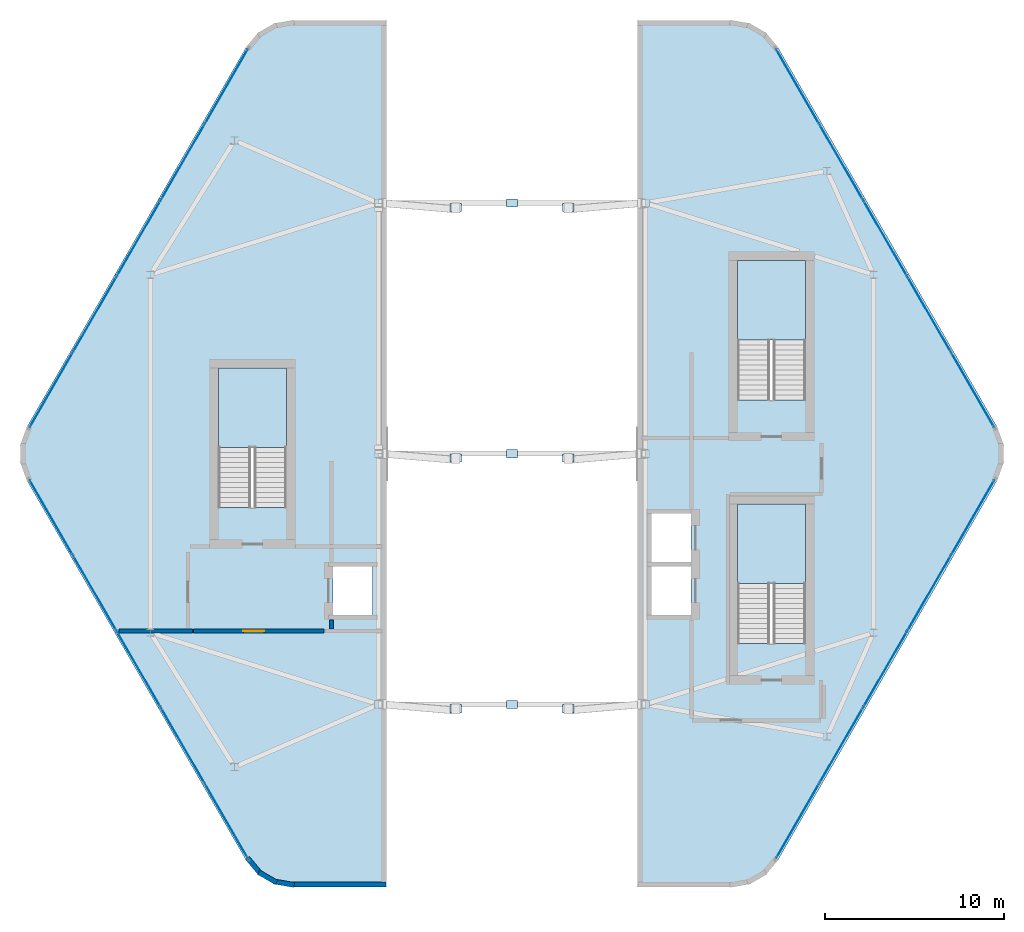
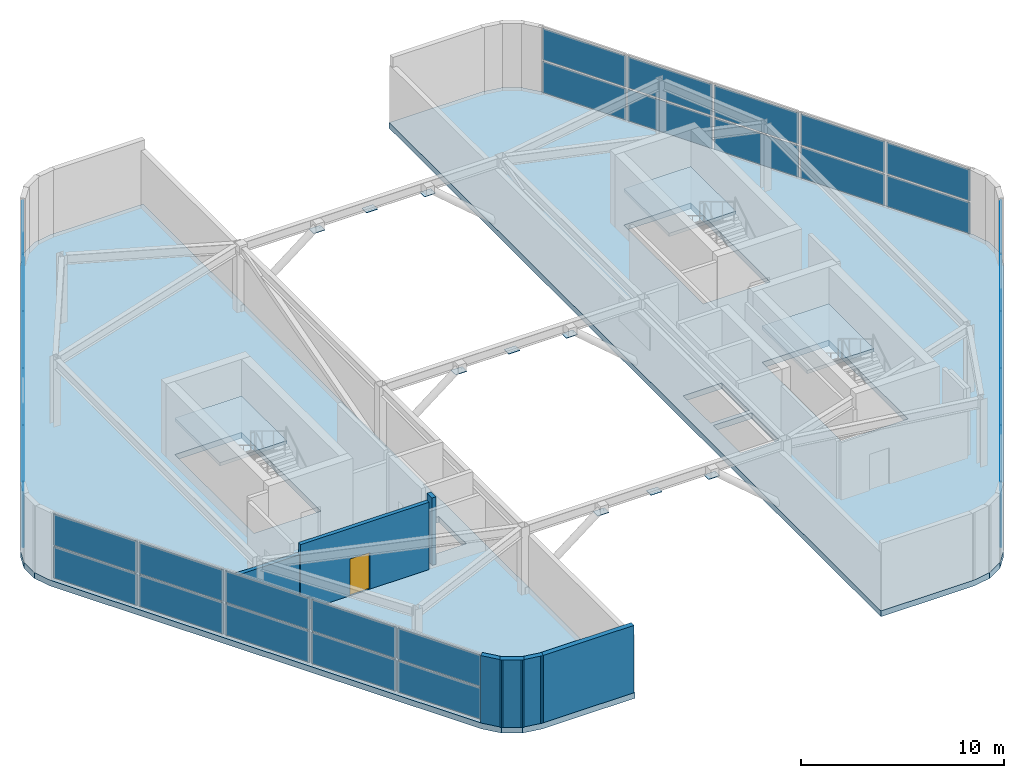
# One storey, part 13 of 16: 49 plates, 7 walls, 5 slabs, 1 door, 1 opening, 7 elements without a shape of their own.
"""IFC4 building model written with IfcOpenShell, lengths in metres."""

from ifc_helpers import new_model, si_unit, direction, frame, frame_2d, origin, origin_2d, place, context, subcontext, project, spatial, polyline, rectangle, outline, extrude, material, layer, layer_set, type_object, element, fill, aggregate, save


model = new_model("IFC4")

# Units and contexts
model_context = context("Model", 3, precision=1e-05, world=origin(), true_north=direction((0.0, 1.0)))
body_context = subcontext(model_context, "Body", "Model", "MODEL_VIEW")
ifc_project = project(units=[si_unit("LENGTHUNIT", "METRE"), si_unit("AREAUNIT", "SQUARE_METRE"), si_unit("VOLUMEUNIT", "CUBIC_METRE"), si_unit("PLANEANGLEUNIT", "RADIAN"), si_unit("MASSUNIT", "GRAM", prefix="KILO")], contexts=[model_context])

# Site, building, storey
site_placement = place(None, origin())
site = spatial("IfcSite", under=ifc_project, at=site_placement, CompositionType="ELEMENT")
building_placement = place(site_placement, origin())
building = spatial("IfcBuilding", under=site, at=building_placement, Name="Zuhravey Tower", CompositionType="ELEMENT")
storey_placement = place(building_placement, frame((0.0, 0.0, 365.800048828125)))
storey = spatial("IfcBuildingStorey", under=building, at=storey_placement, Name="L93", CompositionType="ELEMENT", Elevation=365.800048828125)

# Curtain wall, plates
ifc_material_1 = material(Name="Thermally broken anodised aluminium", Category="aluminium")
curtain_wall_type = type_object("IfcCurtainWallType", Name="Split-Top Crown Screened Curtain Wall CW6", PredefinedType="NOTDEFINED", material=ifc_material_1)
curtain_wall_1_placement = place(storey_placement, origin())
curtain_wall_1 = element("IfcCurtainWall", 1, at=curtain_wall_1_placement, inside=storey, type_object=curtain_wall_type, Name="L93 CW6 CW6-L93-WEST-04", PredefinedType="NOTDEFINED")
ifc_material_2 = material(Name="Bronze-anodised perforated girih aluminium", Category="aluminium")
ifc_layer_1 = layer(ifc_material_2, 0.035888671875)
ifc_layer_set_1 = layer_set([ifc_layer_1], Name="Bronze-anodised perforated girih aluminium")
plate_type_1 = type_object("IfcPlateType", Name="Girih Perforated Crown Panel", PredefinedType="CURTAIN_PANEL", material=ifc_layer_set_1)
plate_1_placement = place(storey_placement, frame((20.04443359375, 11.487548828125, 0.099853515625), z_axis=(0.0, 0.0, 1.0), x_axis=(-0.499997124838, 0.866027063754, 0.0)))
plate_1 = element("IfcPlate", 2, at=plate_1_placement, type_object=plate_type_1, Name="CW6 panel 1.1", PredefinedType="CURTAIN_PANEL", context=body_context, shape_type="SweptSolid", body=[
    extrude(rectangle(XDim=4.755859375, YDim=0.035888671875, at=origin_2d()), origin(), (0.0, 0.0, 1.0), 1.875),
])
plate_2_placement = place(storey_placement, frame((20.04443359375, 11.487548828125, 2.074951171875), z_axis=(0.0, 0.0, 1.0), x_axis=(-0.499997124838, 0.866027063754, 0.0)))
plate_2 = element("IfcPlate", 3, at=plate_2_placement, type_object=plate_type_1, Name="CW6 panel 1.2", PredefinedType="CURTAIN_PANEL", context=body_context, shape_type="SweptSolid", body=[
    extrude(rectangle(XDim=4.755859375, YDim=0.035888671875, at=origin_2d()), origin(), (0.0, 0.0, 1.0), 1.875),
])
plate_3_placement = place(storey_placement, frame((17.604248046875, 15.71435546875, 0.099853515625), z_axis=(0.0, 0.0, 1.0), x_axis=(-0.499997124838, 0.866027063754, 0.0)))
plate_3 = element("IfcPlate", 4, at=plate_3_placement, type_object=plate_type_1, Name="CW6 panel 2.1", PredefinedType="CURTAIN_PANEL", context=body_context, shape_type="SweptSolid", body=[
    extrude(rectangle(XDim=4.805908203125, YDim=0.035888671875, at=origin_2d()), origin(), (0.0, 0.0, 1.0), 1.875),
])
plate_4_placement = place(storey_placement, frame((17.604248046875, 15.71435546875, 2.074951171875), z_axis=(0.0, 0.0, 1.0), x_axis=(-0.499997124838, 0.866027063754, 0.0)))
plate_4 = element("IfcPlate", 5, at=plate_4_placement, type_object=plate_type_1, Name="CW6 panel 2.2", PredefinedType="CURTAIN_PANEL", context=body_context, shape_type="SweptSolid", body=[
    extrude(rectangle(XDim=4.805908203125, YDim=0.035888671875, at=origin_2d()), origin(), (0.0, 0.0, 1.0), 1.875),
])
plate_5_placement = place(storey_placement, frame((15.1513671875, 19.962890625, 0.099853515625), z_axis=(0.0, 0.0, 1.0), x_axis=(-0.499997124838, 0.866027063754, 0.0)))
plate_5 = element("IfcPlate", 6, at=plate_5_placement, type_object=plate_type_1, Name="CW6 panel 3.1", PredefinedType="CURTAIN_PANEL", context=body_context, shape_type="SweptSolid", body=[
    extrude(rectangle(XDim=4.805908203125, YDim=0.035888671875, at=origin_2d()), origin(), (0.0, 0.0, 1.0), 1.875),
])
plate_6_placement = place(storey_placement, frame((15.1513671875, 19.962890625, 2.074951171875), z_axis=(0.0, 0.0, 1.0), x_axis=(-0.499997124838, 0.866027063754, 0.0)))
plate_6 = element("IfcPlate", 7, at=plate_6_placement, type_object=plate_type_1, Name="CW6 panel 3.2", PredefinedType="CURTAIN_PANEL", context=body_context, shape_type="SweptSolid", body=[
    extrude(rectangle(XDim=4.805908203125, YDim=0.035888671875, at=origin_2d()), origin(), (0.0, 0.0, 1.0), 1.875),
])
plate_7_placement = place(storey_placement, frame((12.6982421875, 24.21142578125, 0.099853515625), z_axis=(0.0, 0.0, 1.0), x_axis=(-0.499997124838, 0.866027063754, 0.0)))
plate_7 = element("IfcPlate", 8, at=plate_7_placement, type_object=plate_type_1, Name="CW6 panel 4.1", PredefinedType="CURTAIN_PANEL", context=body_context, shape_type="SweptSolid", body=[
    extrude(rectangle(XDim=4.805908203125, YDim=0.035888671875, at=origin_2d()), origin(), (0.0, 0.0, 1.0), 1.875),
])
plate_8_placement = place(storey_placement, frame((12.6982421875, 24.21142578125, 2.074951171875), z_axis=(0.0, 0.0, 1.0), x_axis=(-0.499997124838, 0.866027063754, 0.0)))
plate_8 = element("IfcPlate", 9, at=plate_8_placement, type_object=plate_type_1, Name="CW6 panel 4.2", PredefinedType="CURTAIN_PANEL", context=body_context, shape_type="SweptSolid", body=[
    extrude(rectangle(XDim=4.805908203125, YDim=0.035888671875, at=origin_2d()), origin(), (0.0, 0.0, 1.0), 1.875),
])
plate_9_placement = place(storey_placement, frame((10.258056640625, 28.4384765625, 0.099853515625), z_axis=(0.0, 0.0, 1.0), x_axis=(-0.499997124838, 0.866027063754, 0.0)))
plate_9 = element("IfcPlate", 10, at=plate_9_placement, type_object=plate_type_1, Name="CW6 panel 5.1", PredefinedType="CURTAIN_PANEL", context=body_context, shape_type="SweptSolid", body=[
    extrude(rectangle(XDim=4.755859375, YDim=0.035888671875, at=origin_2d()), origin(), (0.0, 0.0, 1.0), 1.875),
])
plate_10_placement = place(storey_placement, frame((10.258056640625, 28.4384765625, 2.074951171875), z_axis=(0.0, 0.0, 1.0), x_axis=(-0.499997124838, 0.866027063754, 0.0)))
plate_10 = element("IfcPlate", 11, at=plate_10_placement, type_object=plate_type_1, Name="CW6 panel 5.2", PredefinedType="CURTAIN_PANEL", context=body_context, shape_type="SweptSolid", body=[
    extrude(rectangle(XDim=4.755859375, YDim=0.035888671875, at=origin_2d()), origin(), (0.0, 0.0, 1.0), 1.875),
])
aggregate(curtain_wall_1, [plate_1, plate_2, plate_3, plate_4, plate_5, plate_6, plate_7, plate_8, plate_9, plate_10])

curtain_wall_2_placement = place(storey_placement, origin())
curtain_wall_2 = element("IfcCurtainWall", 12, at=curtain_wall_2_placement, inside=storey, type_object=curtain_wall_type, Name="L93 CW6 CW6-L93-WEST-08", PredefinedType="NOTDEFINED")
plate_11_placement = place(storey_placement, frame((10.258056640625, 35.5615234375, 0.099853515625), z_axis=(0.0, 0.0, 1.0), x_axis=(0.499997124838, 0.866027063754, 0.0)))
plate_11 = element("IfcPlate", 13, at=plate_11_placement, type_object=plate_type_1, Name="CW6 panel 1.1", PredefinedType="CURTAIN_PANEL", context=body_context, shape_type="SweptSolid", body=[
    extrude(rectangle(XDim=4.755859375, YDim=0.035888671875, at=origin_2d()), origin(), (0.0, 0.0, 1.0), 1.875),
])
plate_12_placement = place(storey_placement, frame((10.258056640625, 35.5615234375, 2.074951171875), z_axis=(0.0, 0.0, 1.0), x_axis=(0.499997124838, 0.866027063754, 0.0)))
plate_12 = element("IfcPlate", 14, at=plate_12_placement, type_object=plate_type_1, Name="CW6 panel 1.2", PredefinedType="CURTAIN_PANEL", context=body_context, shape_type="SweptSolid", body=[
    extrude(rectangle(XDim=4.755859375, YDim=0.035888671875, at=origin_2d()), origin(), (0.0, 0.0, 1.0), 1.875),
])
plate_13_placement = place(storey_placement, frame((12.6982421875, 39.78857421875, 0.099853515625), z_axis=(0.0, 0.0, 1.0), x_axis=(0.499997124838, 0.866027063754, 0.0)))
plate_13 = element("IfcPlate", 15, at=plate_13_placement, type_object=plate_type_1, Name="CW6 panel 2.1", PredefinedType="CURTAIN_PANEL", context=body_context, shape_type="SweptSolid", body=[
    extrude(rectangle(XDim=4.805908203125, YDim=0.035888671875, at=origin_2d()), origin(), (0.0, 0.0, 1.0), 1.875),
])
plate_14_placement = place(storey_placement, frame((12.6982421875, 39.78857421875, 2.074951171875), z_axis=(0.0, 0.0, 1.0), x_axis=(0.499997124838, 0.866027063754, 0.0)))
plate_14 = element("IfcPlate", 16, at=plate_14_placement, type_object=plate_type_1, Name="CW6 panel 2.2", PredefinedType="CURTAIN_PANEL", context=body_context, shape_type="SweptSolid", body=[
    extrude(rectangle(XDim=4.805908203125, YDim=0.035888671875, at=origin_2d()), origin(), (0.0, 0.0, 1.0), 1.875),
])
plate_15_placement = place(storey_placement, frame((15.1513671875, 44.037109375, 0.099853515625), z_axis=(0.0, 0.0, 1.0), x_axis=(0.499997124838, 0.866027063754, 0.0)))
plate_15 = element("IfcPlate", 17, at=plate_15_placement, type_object=plate_type_1, Name="CW6 panel 3.1", PredefinedType="CURTAIN_PANEL", context=body_context, shape_type="SweptSolid", body=[
    extrude(rectangle(XDim=4.805908203125, YDim=0.035888671875, at=origin_2d()), origin(), (0.0, 0.0, 1.0), 1.875),
])
plate_16_placement = place(storey_placement, frame((15.1513671875, 44.037109375, 2.074951171875), z_axis=(0.0, 0.0, 1.0), x_axis=(0.499997124838, 0.866027063754, 0.0)))
plate_16 = element("IfcPlate", 18, at=plate_16_placement, type_object=plate_type_1, Name="CW6 panel 3.2", PredefinedType="CURTAIN_PANEL", context=body_context, shape_type="SweptSolid", body=[
    extrude(rectangle(XDim=4.805908203125, YDim=0.035888671875, at=origin_2d()), origin(), (0.0, 0.0, 1.0), 1.875),
])
plate_17_placement = place(storey_placement, frame((17.604248046875, 48.28564453125, 0.099853515625), z_axis=(0.0, 0.0, 1.0), x_axis=(0.499997124838, 0.866027063754, 0.0)))
plate_17 = element("IfcPlate", 19, at=plate_17_placement, type_object=plate_type_1, Name="CW6 panel 4.1", PredefinedType="CURTAIN_PANEL", context=body_context, shape_type="SweptSolid", body=[
    extrude(rectangle(XDim=4.805908203125, YDim=0.035888671875, at=origin_2d()), origin(), (0.0, 0.0, 1.0), 1.875),
])
plate_18_placement = place(storey_placement, frame((17.604248046875, 48.28564453125, 2.074951171875), z_axis=(0.0, 0.0, 1.0), x_axis=(0.499997124838, 0.866027063754, 0.0)))
plate_18 = element("IfcPlate", 20, at=plate_18_placement, type_object=plate_type_1, Name="CW6 panel 4.2", PredefinedType="CURTAIN_PANEL", context=body_context, shape_type="SweptSolid", body=[
    extrude(rectangle(XDim=4.805908203125, YDim=0.035888671875, at=origin_2d()), origin(), (0.0, 0.0, 1.0), 1.875),
])
plate_19_placement = place(storey_placement, frame((20.04443359375, 52.512451171875, 0.099853515625), z_axis=(0.0, 0.0, 1.0), x_axis=(0.499997124838, 0.866027063754, 0.0)))
plate_19 = element("IfcPlate", 21, at=plate_19_placement, type_object=plate_type_1, Name="CW6 panel 5.1", PredefinedType="CURTAIN_PANEL", context=body_context, shape_type="SweptSolid", body=[
    extrude(rectangle(XDim=4.755859375, YDim=0.035888671875, at=origin_2d()), origin(), (0.0, 0.0, 1.0), 1.875),
])
plate_20_placement = place(storey_placement, frame((20.04443359375, 52.512451171875, 2.074951171875), z_axis=(0.0, 0.0, 1.0), x_axis=(0.499997124838, 0.866027063754, 0.0)))
plate_20 = element("IfcPlate", 22, at=plate_20_placement, type_object=plate_type_1, Name="CW6 panel 5.2", PredefinedType="CURTAIN_PANEL", context=body_context, shape_type="SweptSolid", body=[
    extrude(rectangle(XDim=4.755859375, YDim=0.035888671875, at=origin_2d()), origin(), (0.0, 0.0, 1.0), 1.875),
])
aggregate(curtain_wall_2, [plate_11, plate_12, plate_13, plate_14, plate_15, plate_16, plate_17, plate_18, plate_19, plate_20])

curtain_wall_3_placement = place(storey_placement, origin())
curtain_wall_3 = element("IfcCurtainWall", 23, at=curtain_wall_3_placement, inside=storey, type_object=curtain_wall_type, Name="L93 CW6 CW6-L93-EAST-04", PredefinedType="NOTDEFINED")
plate_21_placement = place(storey_placement, frame((51.95556640625, 52.512451171875, 0.099853515625), z_axis=(0.0, 0.0, 1.0), x_axis=(0.499997124838, -0.866027063754, 0.0)))
plate_21 = element("IfcPlate", 24, at=plate_21_placement, type_object=plate_type_1, Name="CW6 panel 1.1", PredefinedType="CURTAIN_PANEL", context=body_context, shape_type="SweptSolid", body=[
    extrude(rectangle(XDim=4.755859375, YDim=0.035888671875, at=origin_2d()), origin(), (0.0, 0.0, 1.0), 1.875),
])
plate_22_placement = place(storey_placement, frame((51.95556640625, 52.512451171875, 2.074951171875), z_axis=(0.0, 0.0, 1.0), x_axis=(0.499997124838, -0.866027063754, 0.0)))
plate_22 = element("IfcPlate", 25, at=plate_22_placement, type_object=plate_type_1, Name="CW6 panel 1.2", PredefinedType="CURTAIN_PANEL", context=body_context, shape_type="SweptSolid", body=[
    extrude(rectangle(XDim=4.755859375, YDim=0.035888671875, at=origin_2d()), origin(), (0.0, 0.0, 1.0), 1.875),
])
plate_23_placement = place(storey_placement, frame((54.395751953125, 48.28564453125, 0.099853515625), z_axis=(0.0, 0.0, 1.0), x_axis=(0.499997124838, -0.866027063754, 0.0)))
plate_23 = element("IfcPlate", 26, at=plate_23_placement, type_object=plate_type_1, Name="CW6 panel 2.1", PredefinedType="CURTAIN_PANEL", context=body_context, shape_type="SweptSolid", body=[
    extrude(rectangle(XDim=4.805908203125, YDim=0.035888671875, at=origin_2d()), origin(), (0.0, 0.0, 1.0), 1.875),
])
plate_24_placement = place(storey_placement, frame((54.395751953125, 48.28564453125, 2.074951171875), z_axis=(0.0, 0.0, 1.0), x_axis=(0.499997124838, -0.866027063754, 0.0)))
plate_24 = element("IfcPlate", 27, at=plate_24_placement, type_object=plate_type_1, Name="CW6 panel 2.2", PredefinedType="CURTAIN_PANEL", context=body_context, shape_type="SweptSolid", body=[
    extrude(rectangle(XDim=4.805908203125, YDim=0.035888671875, at=origin_2d()), origin(), (0.0, 0.0, 1.0), 1.875),
])
plate_25_placement = place(storey_placement, frame((56.8486328125, 44.037109375, 0.099853515625), z_axis=(0.0, 0.0, 1.0), x_axis=(0.499997124838, -0.866027063754, 0.0)))
plate_25 = element("IfcPlate", 28, at=plate_25_placement, type_object=plate_type_1, Name="CW6 panel 3.1", PredefinedType="CURTAIN_PANEL", context=body_context, shape_type="SweptSolid", body=[
    extrude(rectangle(XDim=4.805908203125, YDim=0.035888671875, at=origin_2d()), origin(), (0.0, 0.0, 1.0), 1.875),
])
plate_26_placement = place(storey_placement, frame((56.8486328125, 44.037109375, 2.074951171875), z_axis=(0.0, 0.0, 1.0), x_axis=(0.499997124838, -0.866027063754, 0.0)))
plate_26 = element("IfcPlate", 29, at=plate_26_placement, type_object=plate_type_1, Name="CW6 panel 3.2", PredefinedType="CURTAIN_PANEL", context=body_context, shape_type="SweptSolid", body=[
    extrude(rectangle(XDim=4.805908203125, YDim=0.035888671875, at=origin_2d()), origin(), (0.0, 0.0, 1.0), 1.875),
])
plate_27_placement = place(storey_placement, frame((59.3017578125, 39.78857421875, 0.099853515625), z_axis=(0.0, 0.0, 1.0), x_axis=(0.499997124838, -0.866027063754, 0.0)))
plate_27 = element("IfcPlate", 30, at=plate_27_placement, type_object=plate_type_1, Name="CW6 panel 4.1", PredefinedType="CURTAIN_PANEL", context=body_context, shape_type="SweptSolid", body=[
    extrude(rectangle(XDim=4.805908203125, YDim=0.035888671875, at=origin_2d()), origin(), (0.0, 0.0, 1.0), 1.875),
])
plate_28_placement = place(storey_placement, frame((59.3017578125, 39.78857421875, 2.074951171875), z_axis=(0.0, 0.0, 1.0), x_axis=(0.499997124838, -0.866027063754, 0.0)))
plate_28 = element("IfcPlate", 31, at=plate_28_placement, type_object=plate_type_1, Name="CW6 panel 4.2", PredefinedType="CURTAIN_PANEL", context=body_context, shape_type="SweptSolid", body=[
    extrude(rectangle(XDim=4.805908203125, YDim=0.035888671875, at=origin_2d()), origin(), (0.0, 0.0, 1.0), 1.875),
])
plate_29_placement = place(storey_placement, frame((61.741943359375, 35.5615234375, 0.099853515625), z_axis=(0.0, 0.0, 1.0), x_axis=(0.499997124838, -0.866027063754, 0.0)))
plate_29 = element("IfcPlate", 32, at=plate_29_placement, type_object=plate_type_1, Name="CW6 panel 5.1", PredefinedType="CURTAIN_PANEL", context=body_context, shape_type="SweptSolid", body=[
    extrude(rectangle(XDim=4.755859375, YDim=0.035888671875, at=origin_2d()), origin(), (0.0, 0.0, 1.0), 1.875),
])
plate_30_placement = place(storey_placement, frame((61.741943359375, 35.5615234375, 2.074951171875), z_axis=(0.0, 0.0, 1.0), x_axis=(0.499997124838, -0.866027063754, 0.0)))
plate_30 = element("IfcPlate", 33, at=plate_30_placement, type_object=plate_type_1, Name="CW6 panel 5.2", PredefinedType="CURTAIN_PANEL", context=body_context, shape_type="SweptSolid", body=[
    extrude(rectangle(XDim=4.755859375, YDim=0.035888671875, at=origin_2d()), origin(), (0.0, 0.0, 1.0), 1.875),
])
aggregate(curtain_wall_3, [plate_21, plate_22, plate_23, plate_24, plate_25, plate_26, plate_27, plate_28, plate_29, plate_30])

curtain_wall_4_placement = place(storey_placement, origin())
curtain_wall_4 = element("IfcCurtainWall", 34, at=curtain_wall_4_placement, inside=storey, type_object=curtain_wall_type, Name="L93 CW6 CW6-L93-EAST-08", PredefinedType="NOTDEFINED")
plate_31_placement = place(storey_placement, frame((61.741943359375, 28.4384765625, 0.099853515625), z_axis=(0.0, 0.0, 1.0), x_axis=(-0.499997124838, -0.866027063754, 0.0)))
plate_31 = element("IfcPlate", 35, at=plate_31_placement, type_object=plate_type_1, Name="CW6 panel 1.1", PredefinedType="CURTAIN_PANEL", context=body_context, shape_type="SweptSolid", body=[
    extrude(rectangle(XDim=4.755859375, YDim=0.035888671875, at=origin_2d()), origin(), (0.0, 0.0, 1.0), 1.875),
])
plate_32_placement = place(storey_placement, frame((61.741943359375, 28.4384765625, 2.074951171875), z_axis=(0.0, 0.0, 1.0), x_axis=(-0.499997124838, -0.866027063754, 0.0)))
plate_32 = element("IfcPlate", 36, at=plate_32_placement, type_object=plate_type_1, Name="CW6 panel 1.2", PredefinedType="CURTAIN_PANEL", context=body_context, shape_type="SweptSolid", body=[
    extrude(rectangle(XDim=4.755859375, YDim=0.035888671875, at=origin_2d()), origin(), (0.0, 0.0, 1.0), 1.875),
])
plate_33_placement = place(storey_placement, frame((59.3017578125, 24.21142578125, 0.099853515625), z_axis=(0.0, 0.0, 1.0), x_axis=(-0.499997124838, -0.866027063754, 0.0)))
plate_33 = element("IfcPlate", 37, at=plate_33_placement, type_object=plate_type_1, Name="CW6 panel 2.1", PredefinedType="CURTAIN_PANEL", context=body_context, shape_type="SweptSolid", body=[
    extrude(rectangle(XDim=4.805908203125, YDim=0.035888671875, at=origin_2d()), origin(), (0.0, 0.0, 1.0), 1.875),
])
plate_34_placement = place(storey_placement, frame((59.3017578125, 24.21142578125, 2.074951171875), z_axis=(0.0, 0.0, 1.0), x_axis=(-0.499997124838, -0.866027063754, 0.0)))
plate_34 = element("IfcPlate", 38, at=plate_34_placement, type_object=plate_type_1, Name="CW6 panel 2.2", PredefinedType="CURTAIN_PANEL", context=body_context, shape_type="SweptSolid", body=[
    extrude(rectangle(XDim=4.805908203125, YDim=0.035888671875, at=origin_2d()), origin(), (0.0, 0.0, 1.0), 1.875),
])
plate_35_placement = place(storey_placement, frame((56.8486328125, 19.962890625, 0.099853515625), z_axis=(0.0, 0.0, 1.0), x_axis=(-0.499997124838, -0.866027063754, 0.0)))
plate_35 = element("IfcPlate", 39, at=plate_35_placement, type_object=plate_type_1, Name="CW6 panel 3.1", PredefinedType="CURTAIN_PANEL", context=body_context, shape_type="SweptSolid", body=[
    extrude(rectangle(XDim=4.805908203125, YDim=0.035888671875, at=origin_2d()), origin(), (0.0, 0.0, 1.0), 1.875),
])
plate_36_placement = place(storey_placement, frame((56.8486328125, 19.962890625, 2.074951171875), z_axis=(0.0, 0.0, 1.0), x_axis=(-0.499997124838, -0.866027063754, 0.0)))
plate_36 = element("IfcPlate", 40, at=plate_36_placement, type_object=plate_type_1, Name="CW6 panel 3.2", PredefinedType="CURTAIN_PANEL", context=body_context, shape_type="SweptSolid", body=[
    extrude(rectangle(XDim=4.805908203125, YDim=0.035888671875, at=origin_2d()), origin(), (0.0, 0.0, 1.0), 1.875),
])
plate_37_placement = place(storey_placement, frame((54.395751953125, 15.71435546875, 0.099853515625), z_axis=(0.0, 0.0, 1.0), x_axis=(-0.499997124838, -0.866027063754, 0.0)))
plate_37 = element("IfcPlate", 41, at=plate_37_placement, type_object=plate_type_1, Name="CW6 panel 4.1", PredefinedType="CURTAIN_PANEL", context=body_context, shape_type="SweptSolid", body=[
    extrude(rectangle(XDim=4.805908203125, YDim=0.035888671875, at=origin_2d()), origin(), (0.0, 0.0, 1.0), 1.875),
])
plate_38_placement = place(storey_placement, frame((54.395751953125, 15.71435546875, 2.074951171875), z_axis=(0.0, 0.0, 1.0), x_axis=(-0.499997124838, -0.866027063754, 0.0)))
plate_38 = element("IfcPlate", 42, at=plate_38_placement, type_object=plate_type_1, Name="CW6 panel 4.2", PredefinedType="CURTAIN_PANEL", context=body_context, shape_type="SweptSolid", body=[
    extrude(rectangle(XDim=4.805908203125, YDim=0.035888671875, at=origin_2d()), origin(), (0.0, 0.0, 1.0), 1.875),
])
plate_39_placement = place(storey_placement, frame((51.95556640625, 11.487548828125, 0.099853515625), z_axis=(0.0, 0.0, 1.0), x_axis=(-0.499997124838, -0.866027063754, 0.0)))
plate_39 = element("IfcPlate", 43, at=plate_39_placement, type_object=plate_type_1, Name="CW6 panel 5.1", PredefinedType="CURTAIN_PANEL", context=body_context, shape_type="SweptSolid", body=[
    extrude(rectangle(XDim=4.755859375, YDim=0.035888671875, at=origin_2d()), origin(), (0.0, 0.0, 1.0), 1.875),
])
plate_40_placement = place(storey_placement, frame((51.95556640625, 11.487548828125, 2.074951171875), z_axis=(0.0, 0.0, 1.0), x_axis=(-0.499997124838, -0.866027063754, 0.0)))
plate_40 = element("IfcPlate", 44, at=plate_40_placement, type_object=plate_type_1, Name="CW6 panel 5.2", PredefinedType="CURTAIN_PANEL", context=body_context, shape_type="SweptSolid", body=[
    extrude(rectangle(XDim=4.755859375, YDim=0.035888671875, at=origin_2d()), origin(), (0.0, 0.0, 1.0), 1.875),
])
aggregate(curtain_wall_4, [plate_31, plate_32, plate_33, plate_34, plate_35, plate_36, plate_37, plate_38, plate_39, plate_40])

# Slabs
ifc_material_3 = material(Name="Concrete C50/60", Category="concrete")
ifc_layer_2 = layer(ifc_material_3, 0.35009765625)
ifc_layer_set_2 = layer_set([ifc_layer_2], Name="Concrete C50/60")
slab_type_1 = type_object("IfcSlabType", Name="Refuge & Plant Heavy Slab 350", PredefinedType="FLOOR", material=ifc_layer_set_2)
slab_1_placement = place(storey_placement, frame((0.0, 0.0, -0.35009765625)))
element("IfcSlab", 45, at=slab_1_placement, inside=storey, type_object=slab_type_1, Name="L93 West Crest Floor Slab PS35", PredefinedType="FLOOR", context=body_context, shape_type="SweptSolid", body=[
    extrude(outline(polyline([(23.72314453125, 7.785888671875), (22.714111328125, 7.9638671875), (21.826904296875, 8.47607421875), (21.16845703125, 9.260986328125), (8.8916015625, 30.52490234375), (8.541259765625, 31.48779296875), (8.541259765625, 32.51220703125), (8.8916015625, 33.47509765625), (21.16845703125, 54.739013671875), (21.826904296875, 55.52392578125), (22.714111328125, 56.0361328125), (23.72314453125, 56.214111328125), (29.0, 56.214111328125), (29.0, 7.785888671875), (23.72314453125, 7.785888671875)]), holes=[polyline([(23.39990234375, 29.000732421875), (23.39990234375, 36.800048828125), (19.60009765625, 36.800048828125), (19.60009765625, 29.000732421875), (23.39990234375, 29.000732421875)]), polyline([(26.0, 23.0), (28.199951171875, 23.0), (28.199951171875, 25.699951171875), (26.0, 25.699951171875), (26.0, 23.0)])]), origin(), (0.0, 0.0, 1.0), 0.35009765625),
])
slab_2_placement = place(storey_placement, frame((0.0, 0.0, -0.35009765625)))
element("IfcSlab", 46, at=slab_2_placement, inside=storey, type_object=slab_type_1, Name="L93 East Crest Floor Slab PS35", PredefinedType="FLOOR", context=body_context, shape_type="SweptSolid", body=[
    extrude(outline(polyline([(48.27685546875, 56.214111328125), (49.285888671875, 56.0361328125), (50.173095703125, 55.52392578125), (50.83154296875, 54.739013671875), (63.1083984375, 33.47509765625), (63.458740234375, 32.51220703125), (63.458740234375, 31.48779296875), (63.1083984375, 30.52490234375), (50.83154296875, 9.260986328125), (50.173095703125, 8.47607421875), (49.285888671875, 7.9638671875), (48.27685546875, 7.785888671875), (43.0, 7.785888671875), (43.0, 56.214111328125), (48.27685546875, 56.214111328125)]), holes=[polyline([(52.39990234375, 21.400634765625), (52.39990234375, 29.199951171875), (48.60009765625, 29.199951171875), (48.60009765625, 21.400634765625), (52.39990234375, 21.400634765625)]), polyline([(52.39990234375, 35.000732421875), (52.39990234375, 42.800048828125), (48.60009765625, 42.800048828125), (48.60009765625, 35.000732421875), (52.39990234375, 35.000732421875)]), polyline([(43.800048828125, 23.0), (46.0, 23.0), (46.0, 25.699951171875), (43.800048828125, 25.699951171875), (43.800048828125, 23.0)]), polyline([(43.800048828125, 25.949951171875), (46.0, 25.949951171875), (46.0, 28.64990234375), (43.800048828125, 28.64990234375), (43.800048828125, 25.949951171875)])]), origin(), (0.0, 0.0, 1.0), 0.35009765625),
])

# Stair, slab
ifc_material_4 = material(Name="Concrete C40/50", Category="concrete")
stair_type = type_object("IfcStairType", Name="Crown Storey Stair Assembly 4400", PredefinedType="HALF_TURN_STAIR", material=ifc_material_4)
stair_1_placement = place(storey_placement, origin())
stair_1 = element("IfcStair", 47, at=stair_1_placement, inside=storey, type_object=stair_type, Name="L93 West Crest Stair CST1", PredefinedType="HALF_TURN_STAIR")
ifc_layer_3 = layer(ifc_material_4, 0.199951171875)
ifc_layer_set_3 = layer_set([ifc_layer_3], Name="Concrete C40/50")
slab_type_2 = type_object("IfcSlabType", Name="Stair Landing Slab 200", PredefinedType="LANDING", material=ifc_layer_set_3)
slab_3_placement = place(storey_placement, frame((0.0, 0.0, 2.0)))
slab_3 = element("IfcSlab", 48, at=slab_3_placement, type_object=slab_type_2, Name="CST1 landing 1", PredefinedType="LANDING", context=body_context, shape_type="SweptSolid", body=[
    extrude(outline(polyline([(23.39990234375, 32.360107421875), (23.39990234375, 36.800048828125), (19.60009765625, 36.800048828125), (19.60009765625, 32.360107421875), (23.39990234375, 32.360107421875)])), origin(), (0.0, 0.0, 1.0), 0.199951171875),
])
aggregate(stair_1, [slab_3])

stair_2_placement = place(storey_placement, origin())
stair_2 = element("IfcStair", 49, at=stair_2_placement, inside=storey, type_object=stair_type, Name="L93 East Crest South Stair CST2", PredefinedType="HALF_TURN_STAIR")
slab_4_placement = place(storey_placement, frame((0.0, 0.0, 2.0)))
slab_4 = element("IfcSlab", 50, at=slab_4_placement, type_object=slab_type_2, Name="CST2 landing 1", PredefinedType="LANDING", context=body_context, shape_type="SweptSolid", body=[
    extrude(outline(polyline([(52.39990234375, 24.760009765625), (52.39990234375, 29.199951171875), (48.60009765625, 29.199951171875), (48.60009765625, 24.760009765625), (52.39990234375, 24.760009765625)])), origin(), (0.0, 0.0, 1.0), 0.199951171875),
])
aggregate(stair_2, [slab_4])

stair_3_placement = place(storey_placement, origin())
stair_3 = element("IfcStair", 51, at=stair_3_placement, inside=storey, type_object=stair_type, Name="L93 East Crest North Stair CST3", PredefinedType="HALF_TURN_STAIR")
slab_5_placement = place(storey_placement, frame((0.0, 0.0, 2.0)))
slab_5 = element("IfcSlab", 52, at=slab_5_placement, type_object=slab_type_2, Name="CST3 landing 1", PredefinedType="LANDING", context=body_context, shape_type="SweptSolid", body=[
    extrude(outline(polyline([(52.39990234375, 38.360107421875), (52.39990234375, 42.800048828125), (48.60009765625, 42.800048828125), (48.60009765625, 38.360107421875), (52.39990234375, 38.360107421875)])), origin(), (0.0, 0.0, 1.0), 0.199951171875),
])
aggregate(stair_3, [slab_5])

# Plates
ifc_material_5 = material(Name="Steel SM460", Category="steel")
ifc_layer_4 = layer(ifc_material_5, 0.028076171875)
ifc_layer_set_4 = layer_set([ifc_layer_4], Name="Steel SM460")
plate_type_2 = type_object("IfcPlateType", Name="Wind-Portal Saddle Node Plate ND8", PredefinedType="SHEET", material=ifc_layer_set_4)
for number, where, z_axis, x_axis, name in (
    (53, (36.0, 18.0, 3.4375), (0.0, 0.0, 1.0), (1.0, 0.0, 0.0), "L93 Wind-Portal Arch Apex Plate ND8-1"),
    (54, (32.85009765625, 17.760009765625, 3.4375), (0.0, 0.0, 1.0), (1.0, 0.0, 0.0), "L93 Wind-Portal Knee Node Plate ND8-1W"),
    (55, (39.14990234375, 17.760009765625, 3.4375), (0.0, 0.0, 1.0), (1.0, 0.0, 0.0), "L93 Wind-Portal Knee Node Plate ND8-1E"),
    (56, (36.0, 32.0, 3.4375), (0.0, 0.0, 1.0), (1.0, 0.0, 0.0), "L93 Wind-Portal Arch Apex Plate ND8-2"),
    (57, (32.85009765625, 31.760009765625, 3.4375), (0.0, 0.0, 1.0), (1.0, 0.0, 0.0), "L93 Wind-Portal Knee Node Plate ND8-2W"),
    (58, (39.14990234375, 31.760009765625, 3.4375), (0.0, 0.0, 1.0), (1.0, 0.0, 0.0), "L93 Wind-Portal Knee Node Plate ND8-2E"),
    (59, (36.0, 46.0, 3.4375), (0.0, 0.0, 1.0), (1.0, 0.0, 0.0), "L93 Wind-Portal Arch Apex Plate ND8-3"),
    (60, (32.85009765625, 45.760009765625, 3.4375), (0.0, 0.0, 1.0), (1.0, 0.0, 0.0), "L93 Wind-Portal Knee Node Plate ND8-3W"),
    (61, (39.14990234375, 45.760009765625, 3.4375), (0.0, 0.0, 1.0), (1.0, 0.0, 0.0), "L93 Wind-Portal Knee Node Plate ND8-3E"),
):
    element("IfcPlate", number, at=place(storey_placement, frame(where, z_axis=z_axis, x_axis=x_axis)), inside=storey, type_object=plate_type_2, Name=name, PredefinedType="SHEET", context=body_context, shape_type="SweptSolid", body=[
        extrude(rectangle(XDim=0.639892578125, YDim=0.4599609375, at=origin_2d()), origin(), (0.0, 0.0, 1.0), 0.028076171875),
    ])

# Walls
ifc_material_6 = material(Name="Precast concrete C40/50", Category="concrete")
ifc_layer_5 = layer(ifc_material_6, 0.280029296875)
ifc_layer_set_5 = layer_set([ifc_layer_5], Name="Precast concrete C40/50")
wall_type_1 = type_object("IfcWallType", Name="Crown Architectural Wall 280", PredefinedType="SOLIDWALL", material=ifc_layer_set_5)
wall_1_placement = place(storey_placement, frame((23.8291015625, 7.909423828125, 0.0), z_axis=(0.0, 0.0, 1.0), x_axis=(-0.984798162481, 0.173702559495, 0.0)))
element("IfcWall", 62, at=wall_1_placement, inside=storey, type_object=wall_type_1, Name="L93 WEST Crest Wall EW28-01", PredefinedType="SOLIDWALL", context=body_context, shape_type="SweptSolid", body=[
    extrude(rectangle(XDim=1.177734375, YDim=0.280029296875, at=frame_2d((0.5888671875, 0.0))), origin(), (0.0, 0.0, 1.0), 4.050048828125),
])
wall_2_placement = place(storey_placement, frame((22.84521484375, 8.0498046875, 0.0), z_axis=(0.0, 0.0, 1.0), x_axis=(-0.865951785477, 0.500127488975, 0.0)))
element("IfcWall", 63, at=wall_2_placement, inside=storey, type_object=wall_type_1, Name="L93 WEST Crest Wall EW28-02", PredefinedType="SOLIDWALL", context=body_context, shape_type="SweptSolid", body=[
    extrude(rectangle(XDim=1.165283203125, YDim=0.280029296875, at=frame_2d((0.58251953125, 0.0))), origin(), (0.0, 0.0, 1.0), 4.050048828125),
])
wall_3_placement = place(storey_placement, frame((21.9794921875, 8.51220703125, 0.0), z_axis=(0.0, 0.0, 1.0), x_axis=(-0.642851701012, 0.765990659542, 0.0)))
element("IfcWall", 64, at=wall_3_placement, inside=storey, type_object=wall_type_1, Name="L93 WEST Crest Wall EW28-03", PredefinedType="SOLIDWALL", context=body_context, shape_type="SweptSolid", body=[
    extrude(rectangle(XDim=1.177734375, YDim=0.280029296875, at=frame_2d((0.5888671875, 0.0))), origin(), (0.0, 0.0, 1.0), 4.050048828125),
])
wall_4_placement = place(storey_placement, frame((28.955078125, 7.92578125, 0.0), z_axis=(0.0, 0.0, 1.0), x_axis=(-1.0, 0.0, 0.0)))
element("IfcWall", 65, at=wall_4_placement, inside=storey, type_object=wall_type_1, Name="L93 WEST Crest Wall EW28-14", PredefinedType="SOLIDWALL", context=body_context, shape_type="SweptSolid", body=[
    extrude(rectangle(XDim=5.314697265625, YDim=0.280029296875, at=frame_2d((2.6572265625, 0.0))), origin(), (0.0, 0.0, 1.0), 4.050048828125),
])

# Wall, opening, door
ifc_material_7 = material(Name="Gypsum acoustic stud assembly")
ifc_layer_6 = layer(ifc_material_7, 0.219970703125)
ifc_layer_set_6 = layer_set([ifc_layer_6], Name="Gypsum acoustic stud assembly")
wall_type_2 = type_object("IfcWallType", Name="School Acoustic Compartment Wall 220", PredefinedType="PARTITIONING", material=ifc_layer_set_6)
wall_5_placement = place(storey_placement, frame((18.199951171875, 22.10009765625, 0.0), z_axis=(0.0, 0.0, 1.0), x_axis=(1.0, 0.0, 0.0)))
wall_5 = element("IfcWall", 66, at=wall_5_placement, inside=storey, type_object=wall_type_2, Name="L93 IW22 Partition 008", PredefinedType="PARTITIONING", context=body_context, shape_type="SweptSolid", body=[
    extrude(rectangle(XDim=7.300048828125, YDim=0.219970703125, at=frame_2d((3.64990234375, 0.0))), origin(), (0.0, 0.0, 1.0), 4.050048828125),
])
opening_placement = place(wall_5_placement, frame((2.800048828125, 0.0, 0.0)))
opening = element("IfcOpeningElement", 67, at=opening_placement, cuts=wall_5, Name="Opening CLD1", PredefinedType="OPENING", context=body_context, shape_type="SweptSolid", body=[
    extrude(rectangle(XDim=1.14990234375, YDim=2.199951171875, at=frame_2d((0.574951171875, 1.10009765625))), frame((0.0, 0.1220703125, 0.0), z_axis=(0.0, -1.0, 0.0), x_axis=(1.0, 0.0, 0.0)), (0.0, 0.0, 1.0), 0.243896484375),
])
ifc_material_8 = material(Name="Acoustic timber leaf with vision lite", Category="wood")
door_type = type_object("IfcDoorType", Name="Classroom Acoustic Door 1150x2200", OperationType="NOTDEFINED", PredefinedType="DOOR", material=ifc_material_8)
door_placement = place(opening_placement, frame((1.14990234375, 0.0, 0.0), z_axis=(0.0, 0.0, 1.0), x_axis=(-1.0, 0.0, 0.0)))
door = element("IfcDoor", 68, at=door_placement, inside=storey, type_object=door_type, Name="L93 Heat Recovery Plant Room Door", OperationType="SINGLE_SWING_RIGHT", OverallHeight=2.199951171875, OverallWidth=1.14990234375, PredefinedType="DOOR", context=body_context, shape_type="SweptSolid", body=[
    extrude(rectangle(XDim=1.14990234375, YDim=2.199951171875, at=frame_2d((0.574951171875, 1.10009765625))), frame((0.0, 0.02490234375, 0.0), z_axis=(0.0, -1.0, 0.0), x_axis=(1.0, 0.0, 0.0)), (0.0, 0.0, 1.0), 0.050048828125),
])
fill(opening, door)

# Walls
wall_6_placement = place(storey_placement, frame((14.055908203125, 22.10009765625, 0.0), z_axis=(0.0, 0.0, 1.0), x_axis=(1.0, 0.0, 0.0)))
element("IfcWall", 69, at=wall_6_placement, inside=storey, type_object=wall_type_2, Name="L93 IW22 Partition 012", PredefinedType="PARTITIONING", context=body_context, shape_type="SweptSolid", body=[
    extrude(rectangle(XDim=4.093994140625, YDim=0.219970703125, at=frame_2d((2.046875, 0.0))), origin(), (0.0, 0.0, 1.0), 3.469970703125),
])
wall_7_placement = place(storey_placement, frame((25.919921875, 22.218017578125, 0.0), z_axis=(0.0, 0.0, 1.0), x_axis=(0.0, 1.0, 0.0)))
element("IfcWall", 70, at=wall_7_placement, inside=storey, type_object=wall_type_2, Name="L93 IW22 Partition 018", PredefinedType="PARTITIONING", context=body_context, shape_type="SweptSolid", body=[
    extrude(rectangle(XDim=0.4931640625, YDim=0.219970703125, at=frame_2d((0.24658203125, 0.0))), origin(), (0.0, 0.0, 1.0), 4.050048828125),
])

save(model, "model.ifc")
